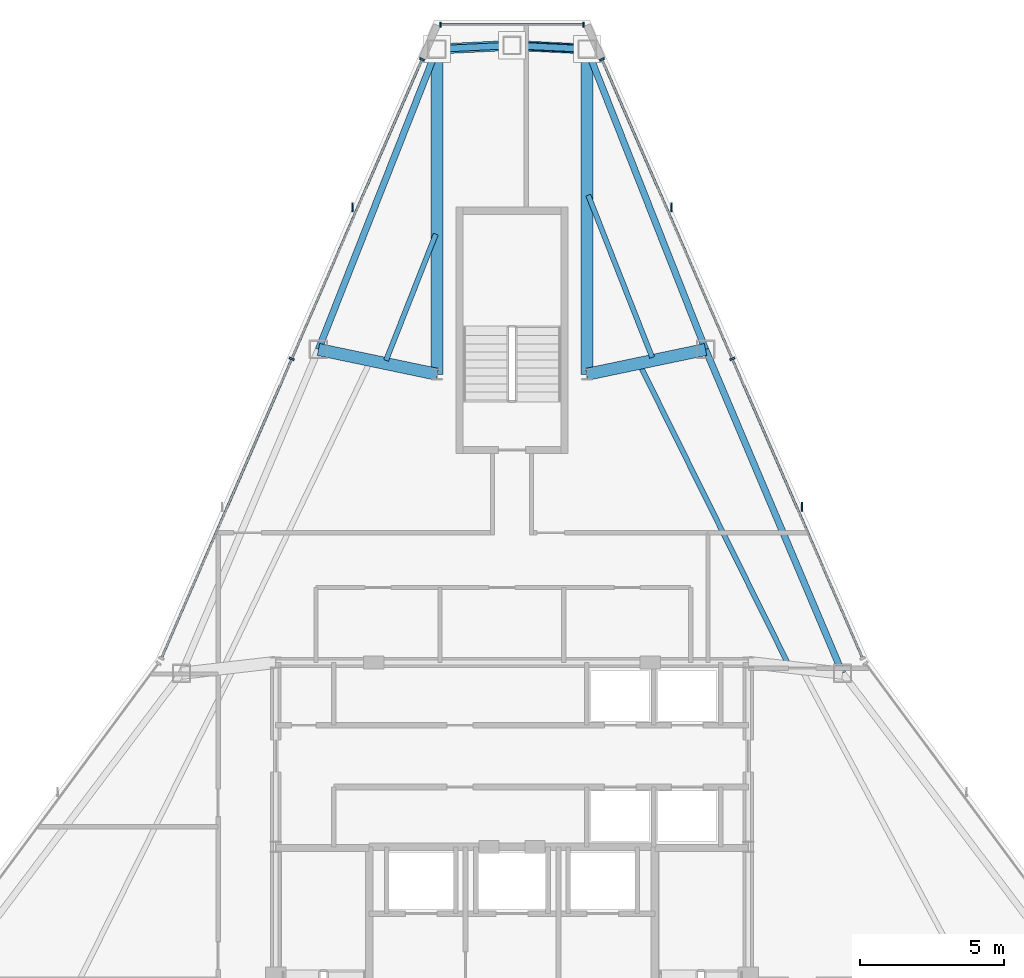
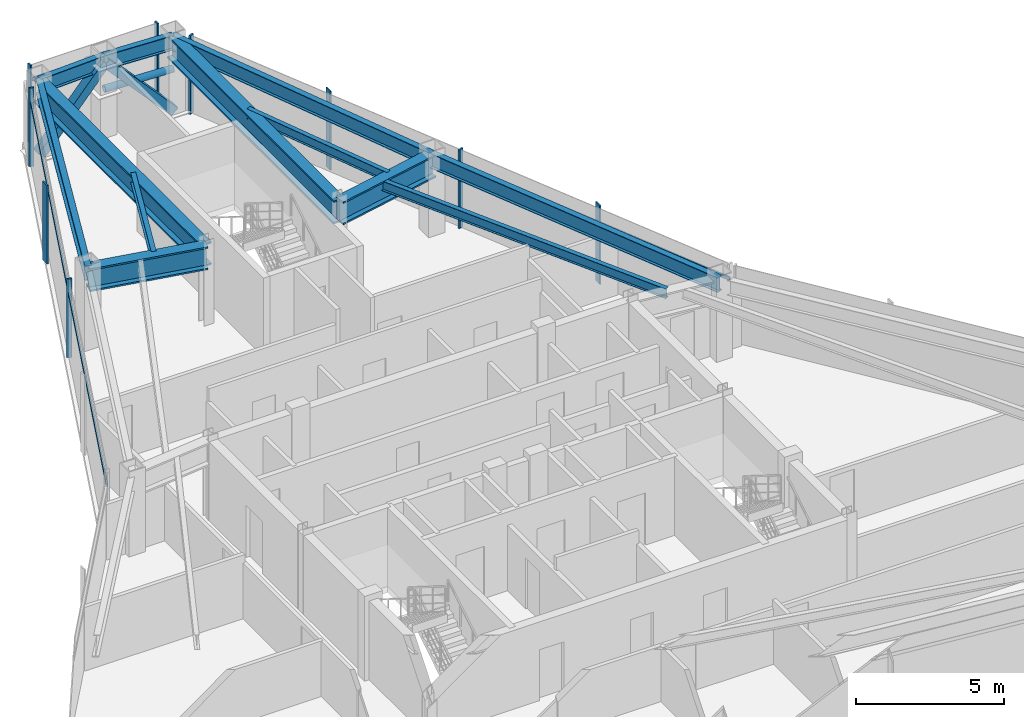
# One storey, part 7 of 12: 15 members, 12 beams, 3 elements without a shape of their own.
"""IFC4 building model written with IfcOpenShell, lengths in metres."""

from ifc_helpers import new_model, si_unit, direction, frame, origin, origin_2d, place, context, subcontext, project, spatial, rectangle, hollow_rectangle, hollow_circle, i_section, extrude, source, transform, mapped, material, layer, layer_set, material_profile, profile_set, type_object, type_shapes, element, aggregate, save


model = new_model("IFC4")

# Units and contexts
model_context = context("Model", 3, precision=1e-05, world=origin(), true_north=direction((0.0, 1.0)))
body_context = subcontext(model_context, "Body", "Model", "MODEL_VIEW")
ifc_project = project(units=[si_unit("LENGTHUNIT", "METRE"), si_unit("AREAUNIT", "SQUARE_METRE"), si_unit("VOLUMEUNIT", "CUBIC_METRE"), si_unit("PLANEANGLEUNIT", "RADIAN"), si_unit("MASSUNIT", "GRAM", prefix="KILO")], contexts=[model_context])

# Site, building, storey
site_placement = place(None, origin())
site = spatial("IfcSite", under=ifc_project, at=site_placement, CompositionType="ELEMENT")
building_placement = place(site_placement, origin())
building = spatial("IfcBuilding", under=site, at=building_placement, Name="Varakhsha Concourse Tower", CompositionType="ELEMENT")
storey_placement = place(building_placement, frame((0.0, 0.0, 276.0)))
storey = spatial("IfcBuildingStorey", under=building, at=storey_placement, Name="L78", CompositionType="ELEMENT", Elevation=276.0)

# Beams
ifc_material_1 = material(Name="Structural Steel ASTM A992 Grade 50", Category="steel")
ifc_material_profile_1 = material_profile(ifc_material_1, i_section(OverallWidth=0.177978515625, OverallDepth=0.406982421875, WebThickness=0.008056640625, FlangeThickness=0.012939453125, at=origin_2d()), Name="W16X40")
ifc_profile_set_1 = profile_set([ifc_material_profile_1], Name="Structural Steel ASTM A992 Grade 50")
beam_type_1 = type_object("IfcBeamType", Name="BM-JST-W16X40", PredefinedType="JOIST", material=ifc_profile_set_1)
beam_1_placement = place(storey_placement, frame((37.3564453125, 46.06494140625, 3.04638671875), z_axis=(-0.366713451623, -0.930333942409, 0.0), x_axis=(0.930333942409, -0.366713451623, 0.0)))
element("IfcBeam", 1, at=beam_1_placement, inside=storey, type_object=beam_type_1, Name="BM-TJST-L78-03", PredefinedType="JOIST", context=body_context, shape_type="SweptSolid", body=[
    extrude(i_section(OverallWidth=0.177978515625, OverallDepth=0.406982421875, WebThickness=0.008056640625, FlangeThickness=0.012939453125, at=origin_2d()), origin(), (0.0, 0.0, 1.0), 4.71142578125),
])
beam_2_placement = place(storey_placement, frame((49.5908203125, 31.1328125, 3.04638671875), z_axis=(-0.444192551779, 0.895931346111, 0.0), x_axis=(-0.895931346111, -0.444192551779, 0.0)))
element("IfcBeam", 2, at=beam_2_placement, inside=storey, type_object=beam_type_1, Name="BM-TJST-L78-17", PredefinedType="JOIST", context=body_context, shape_type="SweptSolid", body=[
    extrude(i_section(OverallWidth=0.177978515625, OverallDepth=0.406982421875, WebThickness=0.008056640625, FlangeThickness=0.012939453125, at=origin_2d()), origin(), (0.0, 0.0, 1.0), 11.5498046875),
])
beam_3_placement = place(storey_placement, frame((44.865234375, 41.784912109375, 3.04638671875), z_axis=(-0.366694753841, 0.930341312372, 0.0), x_axis=(-0.930341312372, -0.366694753841, 0.0)))
element("IfcBeam", 3, at=beam_3_placement, inside=storey, type_object=beam_type_1, Name="BM-TJST-L78-18", PredefinedType="JOIST", context=body_context, shape_type="SweptSolid", body=[
    extrude(i_section(OverallWidth=0.177978515625, OverallDepth=0.406982421875, WebThickness=0.008056640625, FlangeThickness=0.012939453125, at=origin_2d()), origin(), (0.0, 0.0, 1.0), 6.056640625),
])
ifc_material_profile_2 = material_profile(ifc_material_1, i_section(OverallWidth=0.423095703125, OverallDepth=0.947998046875, WebThickness=0.0380859375, FlangeThickness=0.06396484375, at=origin_2d()), Name="W36X302")
ifc_profile_set_2 = profile_set([ifc_material_profile_2], Name="Structural Steel ASTM A992 Grade 50")
beam_type_2 = type_object("IfcBeamType", Name="BM-OUTR-W36X302", PredefinedType="USERDEFINED", material=ifc_profile_set_2)
for number, where, z_axis, x_axis, name in (
    (4, (42.60009765625, 41.199951171875, 2.77587890625), (0.000627162506, 0.999999803334, 0.0), (-0.999999803334, 0.000627162506, 0.0), "L78 Radial Floor Girder 01"),
    (5, (37.39990234375, 41.199951171875, 2.77587890625), (-0.000627162506, 0.999999803334, 0.0), (-0.999999803334, -0.000627162506, 0.0), "L78 Radial Floor Girder 03"),
):
    element("IfcBeam", number, at=place(storey_placement, frame(where, z_axis=z_axis, x_axis=x_axis)), inside=storey, type_object=beam_type_2, Name=name, ObjectType="GIRDER", PredefinedType="USERDEFINED", context=body_context, shape_type="SweptSolid", body=[
        extrude(i_section(OverallWidth=0.423095703125, OverallDepth=0.947998046875, WebThickness=0.0380859375, FlangeThickness=0.06396484375, at=origin_2d()), origin(), (0.0, 0.0, 1.0), 11.2890625),
    ])
for number, where, z_axis, x_axis, name in (
    (6, (37.39990234375, 41.199951171875, 2.77587890625), (-0.978775195444, 0.204936860479, 0.0), (-0.204936860479, -0.978775195444, 0.0), "L78 Radial Floor Girder 04"),
    (7, (42.60009765625, 41.199951171875, 2.77587890625), (0.978775195444, 0.204936860479, 0.0), (-0.204936860479, 0.978775195444, 0.0), "L78 Radial Floor Girder 18"),
):
    element("IfcBeam", number, at=place(storey_placement, frame(where, z_axis=z_axis, x_axis=x_axis)), inside=storey, type_object=beam_type_2, Name=name, ObjectType="GIRDER", PredefinedType="USERDEFINED", context=body_context, shape_type="SweptSolid", body=[
        extrude(i_section(OverallWidth=0.423095703125, OverallDepth=0.947998046875, WebThickness=0.0380859375, FlangeThickness=0.06396484375, at=origin_2d()), origin(), (0.0, 0.0, 1.0), 4.20654296875),
    ])
ifc_material_profile_3 = material_profile(ifc_material_1, i_section(OverallWidth=0.22900390625, OverallDepth=0.612060546875, WebThickness=0.011962890625, FlangeThickness=0.02001953125, at=origin_2d()), Name="W24X84")
ifc_profile_set_3 = profile_set([ifc_material_profile_3], Name="Structural Steel ASTM A992 Grade 50")
beam_type_3 = type_object("IfcBeamType", Name="BM-SPAN-W24X84", PredefinedType="SPANDREL", material=ifc_profile_set_3)
for number, where, z_axis, x_axis, name in (
    (8, (42.607177734375, 52.489013671875, 2.944091796875), (-0.998802896169, 0.048915995383, 0.0), (-0.048915995383, -0.998802896169, 0.0), "BM-SPAN-L78-01"),
    (9, (40.0, 52.61669921875, 2.944091796875), (-0.998802896169, -0.048915995383, 0.0), (0.048915995383, -0.998802896169, 0.0), "BM-SPAN-L78-02"),
):
    element("IfcBeam", number, at=place(storey_placement, frame(where, z_axis=z_axis, x_axis=x_axis)), inside=storey, type_object=beam_type_3, Name=name, PredefinedType="SPANDREL", context=body_context, shape_type="SweptSolid", body=[
        extrude(i_section(OverallWidth=0.22900390625, OverallDepth=0.612060546875, WebThickness=0.011962890625, FlangeThickness=0.02001953125, at=origin_2d()), origin(), (0.0, 0.0, 1.0), 2.6103515625),
    ])
beam_4_placement = place(storey_placement, frame((37.392822265625, 52.489013671875, 2.944091796875), z_axis=(-0.366717648912, -0.930332287936, 0.0), x_axis=(0.930332287936, -0.366717648912, 0.0)))
element("IfcBeam", 10, at=beam_4_placement, inside=storey, type_object=beam_type_3, Name="BM-SPAN-L78-03", PredefinedType="SPANDREL", context=body_context, shape_type="SweptSolid", body=[
    extrude(i_section(OverallWidth=0.22900390625, OverallDepth=0.612060546875, WebThickness=0.011962890625, FlangeThickness=0.02001953125, at=origin_2d()), origin(), (0.0, 0.0, 1.0), 11.207763671875),
])
beam_5_placement = place(storey_placement, frame((51.471923828125, 30.8232421875, 2.944091796875), z_axis=(-0.389624327062, 0.920973877893, 0.0), x_axis=(-0.920973877893, -0.389624327062, 0.0)))
element("IfcBeam", 11, at=beam_5_placement, inside=storey, type_object=beam_type_3, Name="BM-SPAN-L78-17", PredefinedType="SPANDREL", context=body_context, shape_type="SweptSolid", body=[
    extrude(i_section(OverallWidth=0.22900390625, OverallDepth=0.612060546875, WebThickness=0.011962890625, FlangeThickness=0.02001953125, at=origin_2d()), origin(), (0.0, 0.0, 1.0), 12.203125),
])
beam_6_placement = place(storey_placement, frame((46.71728515625, 42.06201171875, 2.944091796875), z_axis=(-0.366717648912, 0.930332287936, 0.0), x_axis=(-0.930332287936, -0.366717648912, 0.0)))
element("IfcBeam", 12, at=beam_6_placement, inside=storey, type_object=beam_type_3, Name="BM-SPAN-L78-18", PredefinedType="SPANDREL", context=body_context, shape_type="SweptSolid", body=[
    extrude(i_section(OverallWidth=0.22900390625, OverallDepth=0.612060546875, WebThickness=0.011962890625, FlangeThickness=0.02001953125, at=origin_2d()), origin(), (0.0, 0.0, 1.0), 11.207763671875),
])

# Members
ifc_material_2 = material(Name="Structural Steel ASTM A500 Grade C", Category="steel")
ifc_material_profile_4 = material_profile(ifc_material_2, hollow_rectangle(XDim=0.35009765625, YDim=0.35009765625, WallThickness=0.01611328125, at=origin_2d()), Name="HSS 350x350x16")
ifc_profile_set_4 = profile_set([ifc_material_profile_4], Name="Structural Steel ASTM A500 Grade C")
member_type_1 = type_object("IfcMemberType", Name="MB-TUBE-HSS350", PredefinedType="BRACE", material=ifc_profile_set_4)
shared_shape_1 = source(origin(), body_context, "Body", "SweptSolid", [
    extrude(hollow_rectangle(XDim=0.35009765625, YDim=0.35009765625, WallThickness=0.01611328125, at=origin_2d()), origin(), (0.0, 0.0, 1.0), 3.849853515625),
])
type_shapes(member_type_1, [shared_shape_1])
for number, where, z_axis, x_axis, name in (
    (13, (42.607177734375, 52.489013671875, 0.1201171875), (-0.677208674465, 0.033166039587, 0.735043145025), (-0.048915995383, -0.998802896169, 0.0), "L78 Wind-Corner Tube Brace B01"),
    (14, (37.392822265625, 52.489013671875, 0.1201171875), (0.677208674465, 0.033166039587, 0.735043145025), (-0.048915995383, 0.998802896169, 0.0), "L78 Wind-Corner Tube Brace B02"),
):
    element("IfcMember", number, at=place(storey_placement, frame(where, z_axis=z_axis, x_axis=x_axis)), inside=storey, type_object=member_type_1, Name=name, PredefinedType="BRACE", context=body_context, shape_type="MappedRepresentation", body=[
        mapped(shared_shape_1, transform((0.0, 0.0, 0.0), scale=1.0)),
    ])
ifc_material_profile_5 = material_profile(ifc_material_2, hollow_circle(Radius=0.136474609375, WallThickness=0.011962890625, at=origin_2d()), Name="CHS 273x12")
ifc_profile_set_5 = profile_set([ifc_material_profile_5], Name="Structural Steel ASTM A500 Grade C")
member_type_2 = type_object("IfcMemberType", Name="MB-WIND-CHS273", PredefinedType="COLLAR", material=ifc_profile_set_5)
shared_shape_2 = source(origin(), body_context, "Body", "SweptSolid", [
    extrude(hollow_circle(Radius=0.136474609375, WallThickness=0.011962890625, at=origin_2d()), origin(), (0.0, 0.0, 1.0), 2.6103515625),
])
type_shapes(member_type_2, [shared_shape_2])
member_1_placement = place(storey_placement, frame((42.607177734375, 52.489013671875, 1.800048828125), z_axis=(-0.998802896169, 0.048915995383, 0.0), x_axis=(-0.048915995383, -0.998802896169, 0.0)))
element("IfcMember", 15, at=member_1_placement, inside=storey, type_object=member_type_2, Name="L78 Wind-Corner Collar Tie 1", PredefinedType="COLLAR", context=body_context, shape_type="MappedRepresentation", body=[
    mapped(shared_shape_2, transform((0.0, 0.0, 0.0), scale=1.0)),
])

# Curtain wall, members
ifc_material_3 = material(Name="Anodised Bronze Architectural Aluminium AA 6063-T6", Category="aluminium")
ifc_layer = layer(ifc_material_3, 0.199951171875, Name="CW-SYS-05")
ifc_layer_set = layer_set([ifc_layer], Name="Anodised Bronze Architectural Aluminium AA 6063-T6")
curtain_wall_type = type_object("IfcCurtainWallType", Name="CW-SYS-05", PredefinedType="NOTDEFINED", material=ifc_layer_set)
curtain_wall_1_placement = place(storey_placement, origin())
curtain_wall_1 = element("IfcCurtainWall", 16, at=curtain_wall_1_placement, inside=storey, type_object=curtain_wall_type, Name="L78 Chamfer Curtain Wall F1", PredefinedType="NOTDEFINED")
ifc_material_profile_6 = material_profile(ifc_material_3, rectangle(XDim=0.06494140625, YDim=0.179931640625, at=origin_2d()), Name="CWM-180X65")
ifc_profile_set_6 = profile_set([ifc_material_profile_6], Name="Anodised Bronze Architectural Aluminium AA 6063-T6")
member_type_3 = type_object("IfcMemberType", Name="CWM-180X65", PredefinedType="MULLION", material=ifc_profile_set_6)
shared_shape_3 = source(origin(), body_context, "Body", "SweptSolid", [
    extrude(rectangle(XDim=0.06494140625, YDim=0.179931640625, at=origin_2d()), origin(), (0.0, 0.0, 1.0), 3.25),
])
type_shapes(member_type_3, [shared_shape_3])
member_2_placement = place(storey_placement, frame((37.52001953125, 53.3369140625, 0.0), z_axis=(0.0, 0.0, 1.0), x_axis=(1.0, 0.0, 0.0)))
member_2 = element("IfcMember", 17, at=member_2_placement, type_object=member_type_3, Name="CW-L78-F1 Mullion 00", PredefinedType="MULLION", context=body_context, shape_type="MappedRepresentation", body=[
    mapped(shared_shape_3, transform((0.0, 0.0, 0.0), scale=1.0)),
])
member_3_placement = place(storey_placement, frame((42.47998046875, 53.3369140625, 0.0), z_axis=(0.0, 0.0, 1.0), x_axis=(1.0, 0.0, 0.0)))
member_3 = element("IfcMember", 18, at=member_3_placement, type_object=member_type_3, Name="CW-L78-F1 Mullion 01", PredefinedType="MULLION", context=body_context, shape_type="MappedRepresentation", body=[
    mapped(shared_shape_3, transform((0.0, 0.0, 0.0), scale=1.0)),
])

curtain_wall_2_placement = place(storey_placement, origin())
curtain_wall_2 = element("IfcCurtainWall", 19, at=curtain_wall_2_placement, inside=storey, type_object=curtain_wall_type, Name="L78 Crystal Curtain Wall F2", PredefinedType="NOTDEFINED")
member_4_placement = place(storey_placement, frame((32.355224609375, 41.73486328125, 0.0), z_axis=(0.0, 0.0, 1.0), x_axis=(0.39908356189, 0.916914560158, 0.0)))
member_4 = element("IfcMember", 20, at=member_4_placement, type_object=member_type_3, Name="CW-L78-F2 Mullion 01", PredefinedType="MULLION", context=body_context, shape_type="MappedRepresentation", body=[
    mapped(shared_shape_3, transform((0.0, 0.0, 0.0), scale=1.0)),
])
member_5_placement = place(storey_placement, frame((36.8798828125, 52.130859375, 0.0), z_axis=(0.0, 0.0, 1.0), x_axis=(0.39908356189, 0.916914560158, 0.0)))
member_5 = element("IfcMember", 21, at=member_5_placement, type_object=member_type_3, Name="CW-L78-F2 Mullion 02", PredefinedType="MULLION", context=body_context, shape_type="MappedRepresentation", body=[
    mapped(shared_shape_3, transform((0.0, 0.0, 0.0), scale=1.0)),
])

curtain_wall_3_placement = place(storey_placement, origin())
curtain_wall_3 = element("IfcCurtainWall", 22, at=curtain_wall_3_placement, inside=storey, type_object=curtain_wall_type, Name="L78 Crystal Curtain Wall F9", PredefinedType="NOTDEFINED")
member_6_placement = place(storey_placement, frame((43.1201171875, 52.130859375, 0.0), z_axis=(0.0, 0.0, 1.0), x_axis=(0.39908356189, -0.916914560158, 0.0)))
member_6 = element("IfcMember", 23, at=member_6_placement, type_object=member_type_3, Name="CW-L78-F9 Mullion 00", PredefinedType="MULLION", context=body_context, shape_type="MappedRepresentation", body=[
    mapped(shared_shape_3, transform((0.0, 0.0, 0.0), scale=1.0)),
])
member_7_placement = place(storey_placement, frame((47.64501953125, 41.73486328125, 0.0), z_axis=(0.0, 0.0, 1.0), x_axis=(0.39908356189, -0.916914560158, 0.0)))
member_7 = element("IfcMember", 24, at=member_7_placement, type_object=member_type_3, Name="CW-L78-F9 Mullion 01", PredefinedType="MULLION", context=body_context, shape_type="MappedRepresentation", body=[
    mapped(shared_shape_3, transform((0.0, 0.0, 0.0), scale=1.0)),
])

# Member
ifc_material_profile_7 = material_profile(ifc_material_3, rectangle(XDim=0.054931640625, YDim=0.300048828125, at=origin_2d()), Name="FIN-BRZ-300")
ifc_profile_set_7 = profile_set([ifc_material_profile_7], Name="Anodised Bronze Architectural Aluminium AA 6063-T6")
member_type_4 = type_object("IfcMemberType", Name="FIN-BRZ-300", PredefinedType="USERDEFINED", material=ifc_profile_set_7)
shared_shape_4 = source(origin(), body_context, "Body", "SweptSolid", [
    extrude(rectangle(XDim=0.054931640625, YDim=0.300048828125, at=origin_2d()), origin(), (0.0, 0.0, 1.0), 3.25),
])
type_shapes(member_type_4, [shared_shape_4])
member_8_placement = place(storey_placement, frame((34.46630859375, 46.998779296875, 0.0), z_axis=(0.0, 0.0, 1.0), x_axis=(1.0, 0.0, 0.0)))
member_8 = element("IfcMember", 25, at=member_8_placement, type_object=member_type_4, Name="L78 Anodised Bronze Solar Fin F2-2", ObjectType="SOLAR FIN", PredefinedType="USERDEFINED", context=body_context, shape_type="MappedRepresentation", body=[
    mapped(shared_shape_4, transform((0.0, 0.0, 0.0), scale=1.0)),
])

member_9_placement = place(storey_placement, frame((45.53369140625, 46.998779296875, 0.0), z_axis=(0.0, 0.0, 1.0), x_axis=(1.0, 0.0, 0.0)))
member_9 = element("IfcMember", 26, at=member_9_placement, type_object=member_type_4, Name="L78 Anodised Bronze Solar Fin F9-1", ObjectType="SOLAR FIN", PredefinedType="USERDEFINED", context=body_context, shape_type="MappedRepresentation", body=[
    mapped(shared_shape_4, transform((0.0, 0.0, 0.0), scale=1.0)),
])

member_10_placement = place(storey_placement, frame((50.05859375, 36.602783203125, 0.0), z_axis=(0.0, 0.0, 1.0), x_axis=(1.0, 0.0, 0.0)))
member_10 = element("IfcMember", 27, at=member_10_placement, type_object=member_type_4, Name="L78 Anodised Bronze Solar Fin F9-2", ObjectType="SOLAR FIN", PredefinedType="USERDEFINED", context=body_context, shape_type="MappedRepresentation", body=[
    mapped(shared_shape_4, transform((0.0, 0.0, 0.0), scale=1.0)),
])

ifc_material_profile_8 = material_profile(ifc_material_3, rectangle(XDim=0.06005859375, YDim=0.139892578125, at=origin_2d()), Name="CWT-140X60")
ifc_profile_set_8 = profile_set([ifc_material_profile_8], Name="Anodised Bronze Architectural Aluminium AA 6063-T6")
member_type_5 = type_object("IfcMemberType", Name="CWT-140X60", PredefinedType="USERDEFINED", material=ifc_profile_set_8)
shared_shape_5 = source(origin(), body_context, "Body", "SweptSolid", [
    extrude(rectangle(XDim=0.06005859375, YDim=0.139892578125, at=origin_2d()), origin(), (0.0, 0.0, 1.0), 4.9599609375),
])
member_11_placement = place(storey_placement, frame((37.52001953125, 53.3369140625, 2.60009765625), z_axis=(1.0, 0.0, 0.0), x_axis=(0.0, 1.0, 0.0)))
member_11 = element("IfcMember", 28, at=member_11_placement, type_object=member_type_5, Name="CW-L78-F1 Transom 01", ObjectType="TRANSOM", PredefinedType="USERDEFINED", context=body_context, shape_type="MappedRepresentation", body=[
    mapped(shared_shape_5, transform((0.0, 0.0, 0.0), scale=1.0)),
])

aggregate(curtain_wall_1, [member_2, member_3, member_11])

shared_shape_6 = source(origin(), body_context, "Body", "SweptSolid", [
    extrude(rectangle(XDim=0.06005859375, YDim=0.139892578125, at=origin_2d()), origin(), (0.0, 0.0, 1.0), 22.676025390625),
])
type_shapes(member_type_5, [shared_shape_5, shared_shape_6])
member_12_placement = place(storey_placement, frame((27.830322265625, 31.3388671875, 2.60009765625), z_axis=(0.399080793172, 0.916915765227, 0.0), x_axis=(-0.916915765227, 0.399080793172, 0.0)))
member_12 = element("IfcMember", 29, at=member_12_placement, type_object=member_type_5, Name="CW-L78-F2 Transom 01", ObjectType="TRANSOM", PredefinedType="USERDEFINED", context=body_context, shape_type="MappedRepresentation", body=[
    mapped(shared_shape_6, transform((0.0, 0.0, 0.0), scale=1.0)),
])

aggregate(curtain_wall_2, [member_4, member_5, member_12, member_8])

member_13_placement = place(storey_placement, frame((43.1201171875, 52.130859375, 2.60009765625), z_axis=(0.399080793172, -0.916915765227, 0.0), x_axis=(0.916915765227, 0.399080793172, 0.0)))
member_13 = element("IfcMember", 30, at=member_13_placement, type_object=member_type_5, Name="CW-L78-F9 Transom 01", ObjectType="TRANSOM", PredefinedType="USERDEFINED", context=body_context, shape_type="MappedRepresentation", body=[
    mapped(shared_shape_6, transform((0.0, 0.0, 0.0), scale=1.0)),
])

aggregate(curtain_wall_3, [member_6, member_7, member_13, member_9, member_10])

save(model, "model.ifc")
